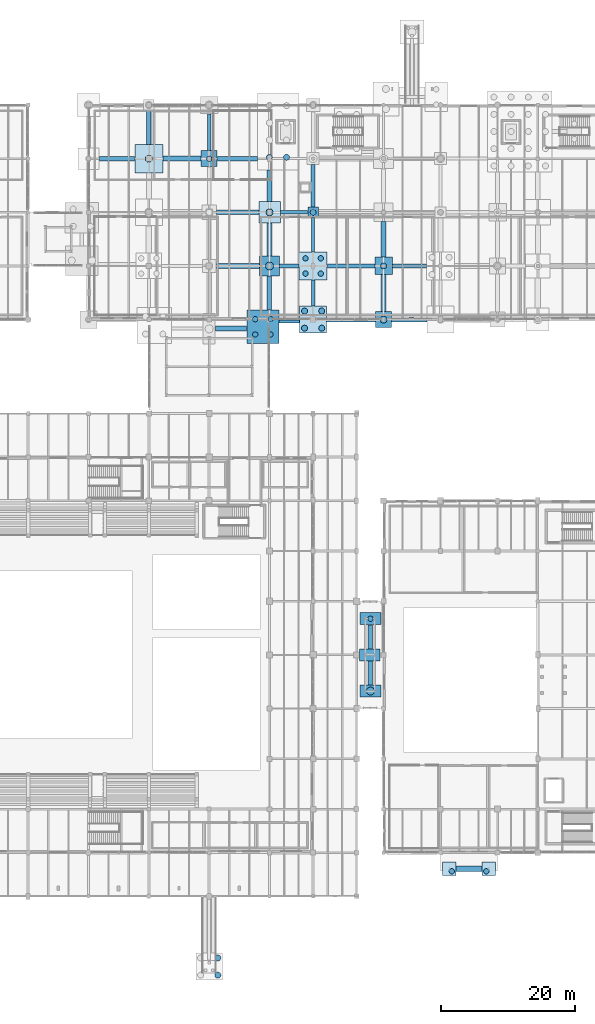
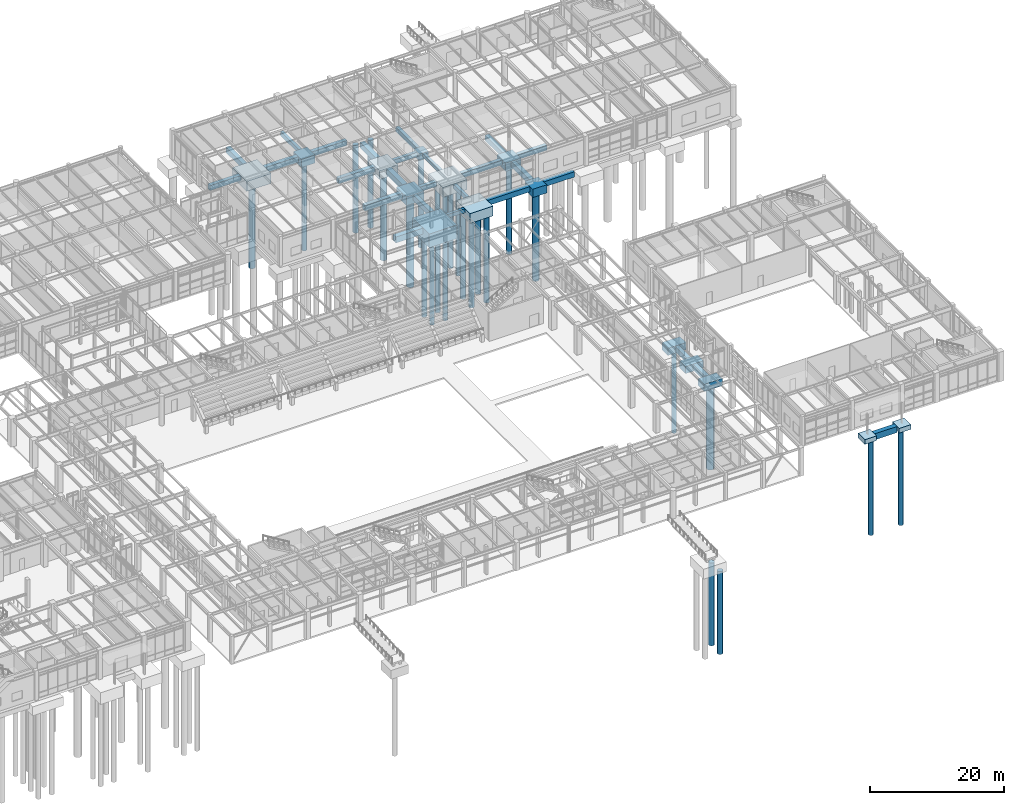
# One storey, part 4 of 203: 41 footings, 27 piles.
"""IFC4 building model written with IfcOpenShell, lengths in metres."""

from ifc_helpers import new_model, si_unit, direction, frame, origin, origin_2d, place, context, subcontext, project, spatial, polyline, circle, outline, extrude, material, material_profile, profile_set, type_object, element, save


model = new_model("IFC4")

# Units and contexts
model_context = context("Model", 3, precision=1e-05, world=origin(), true_north=direction((0.0, 1.0)))
body_context = subcontext(model_context, "Body", "Model", "MODEL_VIEW")
ifc_project = project(units=[si_unit("LENGTHUNIT", "METRE"), si_unit("AREAUNIT", "SQUARE_METRE"), si_unit("VOLUMEUNIT", "CUBIC_METRE"), si_unit("PLANEANGLEUNIT", "RADIAN"), si_unit("MASSUNIT", "GRAM", prefix="KILO"), si_unit("THERMODYNAMICTEMPERATUREUNIT", "KELVIN"), si_unit("POWERUNIT", "WATT")], contexts=[model_context])

# Site, building, storey
site_placement = place(None, origin())
site = spatial("IfcSite", under=ifc_project, at=site_placement, CompositionType="ELEMENT")
building_placement = place(site_placement, origin())
building = spatial("IfcBuilding", under=site, at=building_placement, Name="Tepalcoro Natatorium and Aquatics Centre", CompositionType="ELEMENT")
storey_placement = place(building_placement, origin())
storey = spatial("IfcBuildingStorey", under=building, at=storey_placement, Name="L00", CompositionType="ELEMENT", Elevation=0.0)

# Footings
ifc_material = material(Name="Concrete C40/50 (fc 40 MPa)", Category="concrete")
footing_type_1 = type_object("IfcFootingType", Name="FB_450x700", PredefinedType="FOOTING_BEAM", material=ifc_material)
footing_1_placement = place(storey_placement, frame((0.0, 0.0, -1.159912109375)))
element("IfcFooting", 1, at=footing_1_placement, inside=storey, type_object=footing_type_1, Name="V5 L00 Foundation Tie Beam X", PredefinedType="FOOTING_BEAM", context=body_context, shape_type="SweptSolid", body=[
    extrude(outline(polyline([(126.405029296875, 85.47509765625), (129.4951171875, 85.47509765625), (129.4951171875, 85.925048828125), (126.405029296875, 85.925048828125), (126.405029296875, 85.47509765625)])), origin(), (0.0, 0.0, 1.0), 0.699951171875),
])
footing_2_placement = place(storey_placement, frame((0.0, 0.0, -1.159912109375)))
element("IfcFooting", 2, at=footing_2_placement, inside=storey, type_object=footing_type_1, Name="V5 L00 Foundation Tie Beam Y", PredefinedType="FOOTING_BEAM", context=body_context, shape_type="SweptSolid", body=[
    extrude(outline(polyline([(131.72509765625, 96.10498046875), (131.72509765625, 101.195068359375), (131.27490234375, 101.195068359375), (131.27490234375, 96.10498046875), (131.72509765625, 96.10498046875)])), origin(), (0.0, 0.0, 1.0), 0.699951171875),
])
footing_type_2 = type_object("IfcFootingType", Name="FB_500x750", PredefinedType="FOOTING_BEAM", material=ifc_material)
footing_3_placement = place(storey_placement, frame((0.0, 0.0, -1.2099609375)))
element("IfcFooting", 3, at=footing_3_placement, inside=storey, type_object=footing_type_2, Name="V5 L00 Foundation Tie Beam Y", PredefinedType="FOOTING_BEAM", context=body_context, shape_type="SweptSolid", body=[
    extrude(outline(polyline([(116.25, 111.205078125), (116.25, 116.695068359375), (115.75, 116.695068359375), (115.75, 111.205078125), (116.25, 111.205078125)])), origin(), (0.0, 0.0, 1.0), 0.75),
])
footing_4_placement = place(storey_placement, frame((0.0, 0.0, -1.2099609375)))
element("IfcFooting", 4, at=footing_4_placement, inside=storey, type_object=footing_type_2, Name="V5 L00 Foundation Tie Beam Y", PredefinedType="FOOTING_BEAM", context=body_context, shape_type="SweptSolid", body=[
    extrude(outline(polyline([(131.75, 88.0048828125), (131.75, 91.89501953125), (131.25, 91.89501953125), (131.25, 88.0048828125), (131.75, 88.0048828125)])), origin(), (0.0, 0.0, 1.0), 0.75),
])
footing_type_3 = type_object("IfcFootingType", Name="FB_550x800", PredefinedType="FOOTING_BEAM", material=ifc_material)
footing_5_placement = place(storey_placement, frame((0.0, 0.0, -1.260009765625)))
element("IfcFooting", 5, at=footing_5_placement, inside=storey, type_object=footing_type_3, Name="V5 L00 Foundation Tie Beam X", PredefinedType="FOOTING_BEAM", context=body_context, shape_type="SweptSolid", body=[
    extrude(outline(polyline([(126.60498046875, 101.72509765625), (130.695068359375, 101.72509765625), (130.695068359375, 102.27490234375), (126.60498046875, 102.27490234375), (126.60498046875, 101.72509765625)])), origin(), (0.0, 0.0, 1.0), 0.800048828125),
])
footing_type_4 = type_object("IfcFootingType", Name="FB_600x850", PredefinedType="FOOTING_BEAM", material=ifc_material)
footing_6_placement = place(storey_placement, frame((0.0, 0.0, -1.31005859375)))
element("IfcFooting", 6, at=footing_6_placement, inside=storey, type_object=footing_type_4, Name="V5 L00 Foundation Tie Beam X", PredefinedType="FOOTING_BEAM", context=body_context, shape_type="SweptSolid", body=[
    extrude(outline(polyline([(126.5048828125, 93.699951171875), (129.39501953125, 93.699951171875), (129.39501953125, 94.300048828125), (126.5048828125, 94.300048828125), (126.5048828125, 93.699951171875)])), origin(), (0.0, 0.0, 1.0), 0.85009765625),
])
footing_7_placement = place(storey_placement, frame((0.0, 0.0, -1.31005859375)))
element("IfcFooting", 7, at=footing_7_placement, inside=storey, type_object=footing_type_4, Name="V5 L00 Foundation Tie Beam Y", PredefinedType="FOOTING_BEAM", context=body_context, shape_type="SweptSolid", body=[
    extrude(outline(polyline([(131.800048828125, 102.804931640625), (131.800048828125, 109.094970703125), (131.199951171875, 109.094970703125), (131.199951171875, 102.804931640625), (131.800048828125, 102.804931640625)])), origin(), (0.0, 0.0, 1.0), 0.85009765625),
])
footing_type_5 = type_object("IfcFootingType", Name="FB_650x900", PredefinedType="FOOTING_BEAM", material=ifc_material)
footing_8_placement = place(storey_placement, frame((0.0, 0.0, -1.360107421875)))
element("IfcFooting", 8, at=footing_8_placement, inside=storey, type_object=footing_type_5, Name="V5 L00 Foundation Tie Beam X", PredefinedType="FOOTING_BEAM", context=body_context, shape_type="SweptSolid", body=[
    extrude(outline(polyline([(99.60498046875, 109.675048828125), (104.89501953125, 109.675048828125), (104.89501953125, 110.324951171875), (99.60498046875, 110.324951171875), (99.60498046875, 109.675048828125)])), origin(), (0.0, 0.0, 1.0), 0.900146484375),
])
footing_9_placement = place(storey_placement, frame((0.0, 0.0, -1.360107421875)))
element("IfcFooting", 9, at=footing_9_placement, inside=storey, type_object=footing_type_5, Name="V5 L00 Foundation Tie Beam X", PredefinedType="FOOTING_BEAM", context=body_context, shape_type="SweptSolid", body=[
    extrude(outline(polyline([(117.205078125, 109.675048828125), (123.195068359375, 109.675048828125), (123.195068359375, 110.324951171875), (117.205078125, 110.324951171875), (117.205078125, 109.675048828125)])), origin(), (0.0, 0.0, 1.0), 0.900146484375),
])
footing_10_placement = place(storey_placement, frame((0.0, 0.0, -1.360107421875)))
element("IfcFooting", 10, at=footing_10_placement, inside=storey, type_object=footing_type_5, Name="V5 L00 Foundation Tie Beam X", PredefinedType="FOOTING_BEAM", context=body_context, shape_type="SweptSolid", body=[
    extrude(outline(polyline([(133.60498046875, 93.675048828125), (140.695068359375, 93.675048828125), (140.695068359375, 94.324951171875), (133.60498046875, 94.324951171875), (133.60498046875, 93.675048828125)])), origin(), (0.0, 0.0, 1.0), 0.900146484375),
])
footing_11_placement = place(storey_placement, frame((0.0, 0.0, -1.360107421875)))
element("IfcFooting", 11, at=footing_11_placement, inside=storey, type_object=footing_type_5, Name="V5 L00 Foundation Tie Beam X", PredefinedType="FOOTING_BEAM", context=body_context, shape_type="SweptSolid", body=[
    extrude(outline(polyline([(143.304931640625, 93.675048828125), (148.39501953125, 93.675048828125), (148.39501953125, 94.324951171875), (143.304931640625, 94.324951171875), (143.304931640625, 93.675048828125)])), origin(), (0.0, 0.0, 1.0), 0.900146484375),
])
footing_12_placement = place(storey_placement, frame((0.0, 0.0, -2.64990234375)))
element("IfcFooting", 12, at=footing_12_placement, inside=storey, type_object=footing_type_5, Name="V6E L00 Foundation Tie Beam Y", PredefinedType="FOOTING_BEAM", context=body_context, shape_type="SweptSolid", body=[
    extrude(outline(polyline([(140.324951171875, 36.905029296875), (140.324951171875, 40.4951171875), (139.675048828125, 40.4951171875), (139.675048828125, 36.905029296875), (140.324951171875, 36.905029296875)])), origin(), (0.0, 0.0, 1.0), 0.89990234375),
])
footing_type_6 = type_object("IfcFootingType", Name="FB_700x950", PredefinedType="FOOTING_BEAM", material=ifc_material)
footing_13_placement = place(storey_placement, frame((0.0, 0.0, -1.409912109375)))
element("IfcFooting", 13, at=footing_13_placement, inside=storey, type_object=footing_type_6, Name="V5 L00 Foundation Tie Beam X", PredefinedType="FOOTING_BEAM", context=body_context, shape_type="SweptSolid", body=[
    extrude(outline(polyline([(117.10498046875, 101.64990234375), (123.39501953125, 101.64990234375), (123.39501953125, 102.35009765625), (117.10498046875, 102.35009765625), (117.10498046875, 101.64990234375)])), origin(), (0.0, 0.0, 1.0), 0.949951171875),
])
footing_14_placement = place(storey_placement, frame((0.0, 0.0, -1.409912109375)))
element("IfcFooting", 14, at=footing_14_placement, inside=storey, type_object=footing_type_6, Name="V5 L00 Foundation Tie Beam X", PredefinedType="FOOTING_BEAM", context=body_context, shape_type="SweptSolid", body=[
    extrude(outline(polyline([(133.5048828125, 85.64990234375), (140.794921875, 85.64990234375), (140.794921875, 86.35009765625), (133.5048828125, 86.35009765625), (133.5048828125, 85.64990234375)])), origin(), (0.0, 0.0, 1.0), 0.949951171875),
])
footing_15_placement = place(storey_placement, frame((0.0, 0.0, -1.409912109375)))
element("IfcFooting", 15, at=footing_15_placement, inside=storey, type_object=footing_type_6, Name="V5 L00 Foundation Tie Beam X", PredefinedType="FOOTING_BEAM", context=body_context, shape_type="SweptSolid", body=[
    extrude(outline(polyline([(143.205078125, 85.64990234375), (148.4951171875, 85.64990234375), (148.4951171875, 86.35009765625), (143.205078125, 86.35009765625), (143.205078125, 85.64990234375)])), origin(), (0.0, 0.0, 1.0), 0.949951171875),
])
footing_16_placement = place(storey_placement, frame((0.0, 0.0, -1.409912109375)))
element("IfcFooting", 16, at=footing_16_placement, inside=storey, type_object=footing_type_6, Name="V5 L00 Foundation Tie Beam Y", PredefinedType="FOOTING_BEAM", context=body_context, shape_type="SweptSolid", body=[
    extrude(outline(polyline([(107.35009765625, 112.10498046875), (107.35009765625, 117.195068359375), (106.64990234375, 117.195068359375), (106.64990234375, 112.10498046875), (107.35009765625, 112.10498046875)])), origin(), (0.0, 0.0, 1.0), 0.949951171875),
])
footing_17_placement = place(storey_placement, frame((0.0, 0.0, -1.409912109375)))
element("IfcFooting", 17, at=footing_17_placement, inside=storey, type_object=footing_type_6, Name="V5 L00 Foundation Tie Beam Y", PredefinedType="FOOTING_BEAM", context=body_context, shape_type="SweptSolid", body=[
    extrude(outline(polyline([(125.300048828125, 87.405029296875), (125.300048828125, 92.4951171875), (124.60009765625, 92.4951171875), (124.60009765625, 87.405029296875), (125.300048828125, 87.405029296875)])), origin(), (0.0, 0.0, 1.0), 0.949951171875),
])
footing_18_placement = place(storey_placement, frame((0.0, 0.0, -1.409912109375)))
element("IfcFooting", 18, at=footing_18_placement, inside=storey, type_object=footing_type_6, Name="V5 L00 Foundation Tie Beam Y", PredefinedType="FOOTING_BEAM", context=body_context, shape_type="SweptSolid", body=[
    extrude(outline(polyline([(142.35009765625, 95.304931640625), (142.35009765625, 100.594970703125), (141.64990234375, 100.594970703125), (141.64990234375, 95.304931640625), (142.35009765625, 95.304931640625)])), origin(), (0.0, 0.0, 1.0), 0.949951171875),
])
footing_19_placement = place(storey_placement, frame((0.0, 0.0, -2.699951171875)))
element("IfcFooting", 19, at=footing_19_placement, inside=storey, type_object=footing_type_6, Name="V6E L00 Foundation Tie Beam Y", PredefinedType="FOOTING_BEAM", context=body_context, shape_type="SweptSolid", body=[
    extrude(outline(polyline([(140.35009765625, 31.5048828125), (140.35009765625, 35.094970703125), (139.64990234375, 35.094970703125), (139.64990234375, 31.5048828125), (140.35009765625, 31.5048828125)])), origin(), (0.0, 0.0, 1.0), 0.949951171875),
])
footing_type_7 = type_object("IfcFootingType", Name="FB_750x1000", PredefinedType="FOOTING_BEAM", material=ifc_material)
footing_20_placement = place(storey_placement, frame((0.0, 0.0, -1.4599609375)))
element("IfcFooting", 20, at=footing_20_placement, inside=storey, type_object=footing_type_7, Name="V5 L00 Foundation Tie Beam X", PredefinedType="FOOTING_BEAM", context=body_context, shape_type="SweptSolid", body=[
    extrude(outline(polyline([(109.10498046875, 109.625), (114.794921875, 109.625), (114.794921875, 110.375), (109.10498046875, 110.375), (109.10498046875, 109.625)])), origin(), (0.0, 0.0, 1.0), 1.0),
])
footing_21_placement = place(storey_placement, frame((0.0, 0.0, -1.4599609375)))
element("IfcFooting", 21, at=footing_21_placement, inside=storey, type_object=footing_type_7, Name="V5 L00 Foundation Tie Beam X", PredefinedType="FOOTING_BEAM", context=body_context, shape_type="SweptSolid", body=[
    extrude(outline(polyline([(117.0048828125, 93.625), (123.4951171875, 93.625), (123.4951171875, 94.375), (117.0048828125, 94.375), (117.0048828125, 93.625)])), origin(), (0.0, 0.0, 1.0), 1.0),
])
footing_22_placement = place(storey_placement, frame((0.0, 0.0, -1.4599609375)))
element("IfcFooting", 22, at=footing_22_placement, inside=storey, type_object=footing_type_7, Name="V5 L00 Foundation Tie Beam Y", PredefinedType="FOOTING_BEAM", context=body_context, shape_type="SweptSolid", body=[
    extrude(outline(polyline([(125.375, 103.60498046875), (125.375, 108.294921875), (124.625, 108.294921875), (124.625, 103.60498046875), (125.375, 103.60498046875)])), origin(), (0.0, 0.0, 1.0), 1.0),
])
footing_23_placement = place(storey_placement, frame((0.0, 0.0, -1.4599609375)))
element("IfcFooting", 23, at=footing_23_placement, inside=storey, type_object=footing_type_7, Name="V5 L00 Foundation Tie Beam Y", PredefinedType="FOOTING_BEAM", context=body_context, shape_type="SweptSolid", body=[
    extrude(outline(polyline([(142.375, 87.205078125), (142.375, 92.695068359375), (141.625, 92.695068359375), (141.625, 87.205078125), (142.375, 87.205078125)])), origin(), (0.0, 0.0, 1.0), 1.0),
])
footing_type_8 = type_object("IfcFootingType", Name="FB_800x1100", PredefinedType="FOOTING_BEAM", material=ifc_material)
footing_24_placement = place(storey_placement, frame((0.0, 0.0, -1.10009765625)))
element("IfcFooting", 24, at=footing_24_placement, inside=storey, type_object=footing_type_8, Name="V2 L00 Foundation Tie Beam X", PredefinedType="FOOTING_BEAM", context=body_context, shape_type="SweptSolid", body=[
    extrude(outline(polyline([(152.804931640625, 3.699951171875), (156.695068359375, 3.699951171875), (156.695068359375, 4.5), (152.804931640625, 4.5), (152.804931640625, 3.699951171875)])), origin(), (0.0, 0.0, 1.0), 1.10009765625),
])
footing_25_placement = place(storey_placement, frame((0.0, 0.0, -1.56005859375)))
element("IfcFooting", 25, at=footing_25_placement, inside=storey, type_object=footing_type_8, Name="V5 L00 Foundation Tie Beam X", PredefinedType="FOOTING_BEAM", context=body_context, shape_type="SweptSolid", body=[
    extrude(outline(polyline([(116.905029296875, 84.27490234375), (121.594970703125, 84.27490234375), (121.594970703125, 85.074951171875), (116.905029296875, 85.074951171875), (116.905029296875, 84.27490234375)])), origin(), (0.0, 0.0, 1.0), 1.10009765625),
])
footing_26_placement = place(storey_placement, frame((0.0, 0.0, -1.56005859375)))
element("IfcFooting", 26, at=footing_26_placement, inside=storey, type_object=footing_type_8, Name="V5 L00 Foundation Tie Beam Y", PredefinedType="FOOTING_BEAM", context=body_context, shape_type="SweptSolid", body=[
    extrude(outline(polyline([(125.39990234375, 95.5048828125), (125.39990234375, 100.39501953125), (124.60009765625, 100.39501953125), (124.60009765625, 95.5048828125), (125.39990234375, 95.5048828125)])), origin(), (0.0, 0.0, 1.0), 1.10009765625),
])
footing_type_9 = type_object("IfcFootingType", Name="PC_1600x1600x1200", PredefinedType="PILE_CAP", material=ifc_material)
footing_27_placement = place(storey_placement, frame((0.0, 0.0, -1.659912109375)))
element("IfcFooting", 27, at=footing_27_placement, inside=storey, type_object=footing_type_9, Name="V5 Reinforced Concrete Pile Cap 293", PredefinedType="PILE_CAP", context=body_context, shape_type="SweptSolid", body=[
    extrude(outline(polyline([(130.699951171875, 101.199951171875), (132.300048828125, 101.199951171875), (132.300048828125, 102.800048828125), (130.699951171875, 102.800048828125), (130.699951171875, 101.199951171875)])), origin(), (0.0, 0.0, 1.0), 1.199951171875),
])
footing_type_10 = type_object("IfcFootingType", Name="PC_1800x1800x1300", PredefinedType="PILE_CAP", material=ifc_material)
footing_28_placement = place(storey_placement, frame((0.0, 0.0, -3.050048828125)))
element("IfcFooting", 28, at=footing_28_placement, inside=storey, type_object=footing_type_10, Name="V6E Reinforced Concrete Pile Cap 319", PredefinedType="PILE_CAP", context=body_context, shape_type="SweptSolid", body=[
    extrude(outline(polyline([(138.39990234375, 35.10009765625), (141.5, 35.10009765625), (141.5, 36.89990234375), (138.39990234375, 36.89990234375), (138.39990234375, 35.10009765625)])), origin(), (0.0, 0.0, 1.0), 1.300048828125),
])
footing_29_placement = place(storey_placement, frame((0.0, 0.0, -3.050048828125)))
element("IfcFooting", 29, at=footing_29_placement, inside=storey, type_object=footing_type_10, Name="V6E Reinforced Concrete Pile Cap 320", PredefinedType="PILE_CAP", context=body_context, shape_type="SweptSolid", body=[
    extrude(outline(polyline([(138.5, 29.699951171875), (141.60009765625, 29.699951171875), (141.60009765625, 31.5), (138.5, 31.5), (138.5, 29.699951171875)])), origin(), (0.0, 0.0, 1.0), 1.300048828125),
])
footing_30_placement = place(storey_placement, frame((0.0, 0.0, -3.050048828125)))
element("IfcFooting", 30, at=footing_30_placement, inside=storey, type_object=footing_type_10, Name="V6E Reinforced Concrete Pile Cap 321", PredefinedType="PILE_CAP", context=body_context, shape_type="SweptSolid", body=[
    extrude(outline(polyline([(138.5, 40.5), (141.60009765625, 40.5), (141.60009765625, 42.300048828125), (138.5, 42.300048828125), (138.5, 40.5)])), origin(), (0.0, 0.0, 1.0), 1.300048828125),
])
footing_type_11 = type_object("IfcFootingType", Name="PC_200x200x85", PredefinedType="PILE_CAP", material=ifc_material)
footing_31_placement = place(storey_placement, frame((0.0, 0.0, -0.85009765625)))
element("IfcFooting", 31, at=footing_31_placement, inside=storey, type_object=footing_type_11, Name="V2 Reinforced Concrete Pile Cap 227", PredefinedType="PILE_CAP", context=body_context, shape_type="SweptSolid", body=[
    extrude(outline(polyline([(150.800048828125, 3.10009765625), (152.800048828125, 3.10009765625), (152.800048828125, 5.10009765625), (150.800048828125, 5.10009765625), (150.800048828125, 3.10009765625)])), origin(), (0.0, 0.0, 1.0), 0.85009765625),
])
footing_32_placement = place(storey_placement, frame((0.0, 0.0, -0.85009765625)))
element("IfcFooting", 32, at=footing_32_placement, inside=storey, type_object=footing_type_11, Name="V2 Reinforced Concrete Pile Cap 228", PredefinedType="PILE_CAP", context=body_context, shape_type="SweptSolid", body=[
    extrude(outline(polyline([(156.699951171875, 3.10009765625), (158.699951171875, 3.10009765625), (158.699951171875, 5.10009765625), (156.699951171875, 5.10009765625), (156.699951171875, 3.10009765625)])), origin(), (0.0, 0.0, 1.0), 0.85009765625),
])
footing_type_12 = type_object("IfcFootingType", Name="PC_2400x2400x1500", PredefinedType="PILE_CAP", material=ifc_material)
footing_33_placement = place(storey_placement, frame((0.0, 0.0, -1.9599609375)))
element("IfcFooting", 33, at=footing_33_placement, inside=storey, type_object=footing_type_12, Name="V5 Reinforced Concrete Pile Cap 281", PredefinedType="PILE_CAP", context=body_context, shape_type="SweptSolid", body=[
    extrude(outline(polyline([(114.800048828125, 108.800048828125), (117.199951171875, 108.800048828125), (117.199951171875, 111.199951171875), (114.800048828125, 111.199951171875), (114.800048828125, 108.800048828125)])), origin(), (0.0, 0.0, 1.0), 1.5),
])
footing_34_placement = place(storey_placement, frame((0.0, 0.0, -1.9599609375)))
element("IfcFooting", 34, at=footing_34_placement, inside=storey, type_object=footing_type_12, Name="V5 Reinforced Concrete Pile Cap 299", PredefinedType="PILE_CAP", context=body_context, shape_type="SweptSolid", body=[
    extrude(outline(polyline([(140.800048828125, 84.800048828125), (143.199951171875, 84.800048828125), (143.199951171875, 87.199951171875), (140.800048828125, 87.199951171875), (140.800048828125, 84.800048828125)])), origin(), (0.0, 0.0, 1.0), 1.5),
])
footing_type_13 = type_object("IfcFootingType", Name="PC_2600x2600x1500", PredefinedType="PILE_CAP", material=ifc_material)
footing_35_placement = place(storey_placement, frame((0.0, 0.0, -1.9599609375)))
element("IfcFooting", 35, at=footing_35_placement, inside=storey, type_object=footing_type_13, Name="V5 Reinforced Concrete Pile Cap 298", PredefinedType="PILE_CAP", context=body_context, shape_type="SweptSolid", body=[
    extrude(outline(polyline([(140.699951171875, 92.699951171875), (143.300048828125, 92.699951171875), (143.300048828125, 95.300048828125), (140.699951171875, 95.300048828125), (140.699951171875, 92.699951171875)])), origin(), (0.0, 0.0, 1.0), 1.5),
])
footing_type_14 = type_object("IfcFootingType", Name="PC_2800x2800x1500", PredefinedType="PILE_CAP", material=ifc_material)
footing_36_placement = place(storey_placement, frame((0.0, 0.0, -2.949951171875)))
element("IfcFooting", 36, at=footing_36_placement, inside=storey, type_object=footing_type_14, Name="V5 Reinforced Concrete Pile Cap 285", PredefinedType="PILE_CAP", context=body_context, shape_type="SweptSolid", body=[
    extrude(outline(polyline([(121.60009765625, 82.449951171875), (126.39990234375, 82.449951171875), (126.39990234375, 87.39990234375), (121.60009765625, 87.39990234375), (121.60009765625, 82.449951171875)])), origin(), (0.0, 0.0, 1.0), 2.489990234375),
])
footing_type_15 = type_object("IfcFootingType", Name="PC_3000x3000x1600", PredefinedType="PILE_CAP", material=ifc_material)
footing_37_placement = place(storey_placement, frame((0.0, 0.0, -2.06005859375)))
element("IfcFooting", 37, at=footing_37_placement, inside=storey, type_object=footing_type_15, Name="V5 Reinforced Concrete Pile Cap 288", PredefinedType="PILE_CAP", context=body_context, shape_type="SweptSolid", body=[
    extrude(outline(polyline([(123.5, 92.5), (126.5, 92.5), (126.5, 95.5), (123.5, 95.5), (123.5, 92.5)])), origin(), (0.0, 0.0, 1.0), 1.60009765625),
])
footing_type_16 = type_object("IfcFootingType", Name="PC_3200x3200x1600", PredefinedType="PILE_CAP", material=ifc_material)
footing_38_placement = place(storey_placement, frame((0.0, 0.0, -2.06005859375)))
element("IfcFooting", 38, at=footing_38_placement, inside=storey, type_object=footing_type_16, Name="V5 Reinforced Concrete Pile Cap 287", PredefinedType="PILE_CAP", context=body_context, shape_type="SweptSolid", body=[
    extrude(outline(polyline([(123.39990234375, 100.39990234375), (126.60009765625, 100.39990234375), (126.60009765625, 103.60009765625), (123.39990234375, 103.60009765625), (123.39990234375, 100.39990234375)])), origin(), (0.0, 0.0, 1.0), 1.60009765625),
])
footing_type_17 = type_object("IfcFootingType", Name="PC_4000x4000x1800", PredefinedType="PILE_CAP", material=ifc_material)
footing_39_placement = place(storey_placement, frame((0.0, 0.0, -2.260009765625)))
element("IfcFooting", 39, at=footing_39_placement, inside=storey, type_object=footing_type_17, Name="V5 Reinforced Concrete Pile Cap 290", PredefinedType="PILE_CAP", context=body_context, shape_type="SweptSolid", body=[
    extrude(outline(polyline([(129.5, 84.0), (133.5, 84.0), (133.5, 88.0), (129.5, 88.0), (129.5, 84.0)])), origin(), (0.0, 0.0, 1.0), 1.800048828125),
])
footing_type_18 = type_object("IfcFootingType", Name="PC_4200x4200x1800", PredefinedType="PILE_CAP", material=ifc_material)
footing_40_placement = place(storey_placement, frame((0.0, 0.0, -2.260009765625)))
element("IfcFooting", 40, at=footing_40_placement, inside=storey, type_object=footing_type_18, Name="V5 Reinforced Concrete Pile Cap 275", PredefinedType="PILE_CAP", context=body_context, shape_type="SweptSolid", body=[
    extrude(outline(polyline([(104.89990234375, 107.89990234375), (109.10009765625, 107.89990234375), (109.10009765625, 112.10009765625), (104.89990234375, 112.10009765625), (104.89990234375, 107.89990234375)])), origin(), (0.0, 0.0, 1.0), 1.800048828125),
])
footing_41_placement = place(storey_placement, frame((0.0, 0.0, -2.260009765625)))
element("IfcFooting", 41, at=footing_41_placement, inside=storey, type_object=footing_type_18, Name="V5 Reinforced Concrete Pile Cap 289", PredefinedType="PILE_CAP", context=body_context, shape_type="SweptSolid", body=[
    extrude(outline(polyline([(129.39990234375, 91.89990234375), (133.60009765625, 91.89990234375), (133.60009765625, 96.10009765625), (129.39990234375, 96.10009765625), (129.39990234375, 91.89990234375)])), origin(), (0.0, 0.0, 1.0), 1.800048828125),
])

# Piles
ifc_material_profile_1 = material_profile(ifc_material, circle(Radius=0.52490234375, at=origin_2d()), Name="PILE_D1050")
ifc_profile_set_1 = profile_set([ifc_material_profile_1], Name="Concrete C40/50 (fc 40 MPa)")
pile_type_1 = type_object("IfcPileType", Name="PILE_D1050", PredefinedType="BORED", material=ifc_profile_set_1)
pile_1_placement = place(storey_placement, frame((107.0, 110.0, -2.159912109375), z_axis=(0.0, 0.0, -1.0), x_axis=(1.0, 0.0, 0.0)))
element("IfcPile", 42, at=pile_1_placement, inside=storey, type_object=pile_type_1, Name="Bored Pile PILE_D1050 under PC_V5_0274", PredefinedType="BORED", context=body_context, shape_type="SweptSolid", body=[
    extrude(circle(Radius=0.52490234375, at=origin_2d()), origin(), (0.0, 0.0, 1.0), 15.840087890625),
])
pile_2_placement = place(storey_placement, frame((125.0, 102.0, -1.9599609375), z_axis=(0.0, 0.0, -1.0), x_axis=(1.0, 0.0, 0.0)))
element("IfcPile", 43, at=pile_2_placement, inside=storey, type_object=pile_type_1, Name="Bored Pile PILE_D1050 under PC_V5_0286", PredefinedType="BORED", context=body_context, shape_type="SweptSolid", body=[
    extrude(circle(Radius=0.52490234375, at=origin_2d()), origin(), (0.0, 0.0, 1.0), 16.0400390625),
])
pile_3_placement = place(storey_placement, frame((142.0, 86.0, -1.860107421875), z_axis=(0.0, 0.0, -1.0), x_axis=(1.0, 0.0, 0.0)))
element("IfcPile", 44, at=pile_3_placement, inside=storey, type_object=pile_type_1, Name="Bored Pile PILE_D1050 under PC_V5_0298", PredefinedType="BORED", context=body_context, shape_type="SweptSolid", body=[
    extrude(circle(Radius=0.52490234375, at=origin_2d()), origin(), (0.0, 0.0, 1.0), 16.139892578125),
])
ifc_material_profile_2 = material_profile(ifc_material, circle(Radius=0.60009765625, at=origin_2d()), Name="PILE_D1200")
ifc_profile_set_2 = profile_set([ifc_material_profile_2], Name="Concrete C40/50 (fc 40 MPa)")
pile_type_2 = type_object("IfcPileType", Name="PILE_D1200", PredefinedType="BORED", material=ifc_profile_set_2)
pile_4_placement = place(storey_placement, frame((125.0, 94.0, -1.9599609375), z_axis=(0.0, 0.0, -1.0), x_axis=(1.0, 0.0, 0.0)))
element("IfcPile", 45, at=pile_4_placement, inside=storey, type_object=pile_type_2, Name="Bored Pile PILE_D1200 under PC_V5_0287", PredefinedType="BORED", context=body_context, shape_type="SweptSolid", body=[
    extrude(circle(Radius=0.60009765625, at=origin_2d()), origin(), (0.0, 0.0, 1.0), 16.0400390625),
])
pile_5_placement = place(storey_placement, frame((140.050048828125, 30.60009765625, -2.949951171875), z_axis=(0.0, 0.0, -1.0), x_axis=(1.0, 0.0, 0.0)))
element("IfcPile", 46, at=pile_5_placement, inside=storey, type_object=pile_type_2, Name="Bored Pile PILE_D1200 under PC_V6E_0319", PredefinedType="BORED", context=body_context, shape_type="SweptSolid", body=[
    extrude(circle(Radius=0.60009765625, at=origin_2d()), origin(), (0.0, 0.0, 1.0), 15.050048828125),
])
ifc_material_profile_3 = material_profile(ifc_material, circle(Radius=0.39990234375, at=origin_2d()), Name="PILE_D800")
ifc_profile_set_3 = profile_set([ifc_material_profile_3], Name="Concrete C40/50 (fc 40 MPa)")
pile_type_3 = type_object("IfcPileType", Name="PILE_D800", PredefinedType="BORED", material=ifc_profile_set_3)
for number, where, z_axis, x_axis, name in (
    (47, (152.179931640625, 3.719970703125, -0.75), (0.0, 0.0, -1.0), (1.0, 0.0, 0.0), "Bored Pile PILE_D800 under PC_V2_0226"),
    (48, (157.320068359375, 3.719970703125, -0.75), (0.0, 0.0, -1.0), (1.0, 0.0, 0.0), "Bored Pile PILE_D800 under PC_V2_0227"),
):
    element("IfcPile", number, at=place(storey_placement, frame(where, z_axis=z_axis, x_axis=x_axis)), inside=storey, type_object=pile_type_3, Name=name, PredefinedType="BORED", context=body_context, shape_type="SweptSolid", body=[
        extrude(circle(Radius=0.39990234375, at=origin_2d()), origin(), (0.0, 0.0, 1.0), 17.25),
    ])
pile_6_placement = place(storey_placement, frame((116.0, 110.0, -1.860107421875), z_axis=(0.0, 0.0, -1.0), x_axis=(1.0, 0.0, 0.0)))
element("IfcPile", 49, at=pile_6_placement, inside=storey, type_object=pile_type_3, Name="Bored Pile PILE_D800 under PC_V5_0280", PredefinedType="BORED", context=body_context, shape_type="SweptSolid", body=[
    extrude(circle(Radius=0.39990234375, at=origin_2d()), origin(), (0.0, 0.0, 1.0), 16.139892578125),
])
for number, where, z_axis, x_axis, name in (
    (50, (122.860107421875, 83.784912109375, -2.85009765625), (0.0, 0.0, -1.0), (1.0, 0.0, 0.0), "Bored Pile PILE_D800 under PC_V5_0284"),
    (51, (122.860107421875, 86.06494140625, -2.85009765625), (0.0, 0.0, -1.0), (1.0, 0.0, 0.0), "Bored Pile PILE_D800 under PC_V5_0284"),
    (52, (125.139892578125, 83.784912109375, -2.85009765625), (0.0, 0.0, -1.0), (1.0, 0.0, 0.0), "Bored Pile PILE_D800 under PC_V5_0284"),
    (53, (125.139892578125, 86.06494140625, -2.85009765625), (0.0, 0.0, -1.0), (1.0, 0.0, 0.0), "Bored Pile PILE_D800 under PC_V5_0284"),
):
    element("IfcPile", number, at=place(storey_placement, frame(where, z_axis=z_axis, x_axis=x_axis)), inside=storey, type_object=pile_type_3, Name=name, PredefinedType="BORED", context=body_context, shape_type="SweptSolid", body=[
        extrude(circle(Radius=0.39990234375, at=origin_2d()), origin(), (0.0, 0.0, 1.0), 15.14990234375),
    ])
for number, where, z_axis, x_axis, name in (
    (54, (130.360107421875, 92.860107421875, -2.159912109375), (0.0, 0.0, -1.0), (1.0, 0.0, 0.0), "Bored Pile PILE_D800 under PC_V5_0288"),
    (55, (130.360107421875, 95.139892578125, -2.159912109375), (0.0, 0.0, -1.0), (1.0, 0.0, 0.0), "Bored Pile PILE_D800 under PC_V5_0288"),
    (56, (132.639892578125, 92.860107421875, -2.159912109375), (0.0, 0.0, -1.0), (1.0, 0.0, 0.0), "Bored Pile PILE_D800 under PC_V5_0288"),
    (57, (132.639892578125, 95.139892578125, -2.159912109375), (0.0, 0.0, -1.0), (1.0, 0.0, 0.0), "Bored Pile PILE_D800 under PC_V5_0288"),
):
    element("IfcPile", number, at=place(storey_placement, frame(where, z_axis=z_axis, x_axis=x_axis)), inside=storey, type_object=pile_type_3, Name=name, PredefinedType="BORED", context=body_context, shape_type="SweptSolid", body=[
        extrude(circle(Radius=0.39990234375, at=origin_2d()), origin(), (0.0, 0.0, 1.0), 15.840087890625),
    ])
pile_7_placement = place(storey_placement, frame((140.050048828125, 41.39990234375, -2.949951171875), z_axis=(0.0, 0.0, -1.0), x_axis=(1.0, 0.0, 0.0)))
element("IfcPile", 58, at=pile_7_placement, inside=storey, type_object=pile_type_3, Name="Bored Pile PILE_D800 under PC_V6E_0320", PredefinedType="BORED", context=body_context, shape_type="SweptSolid", body=[
    extrude(circle(Radius=0.39990234375, at=origin_2d()), origin(), (0.0, 0.0, 1.0), 15.050048828125),
])
ifc_material_profile_4 = material_profile(ifc_material, circle(Radius=0.449951171875, at=origin_2d()), Name="PILE_D900")
ifc_profile_set_4 = profile_set([ifc_material_profile_4], Name="Concrete C40/50 (fc 40 MPa)")
pile_type_4 = type_object("IfcPileType", Name="PILE_D900", PredefinedType="BORED", material=ifc_profile_set_4)
for number, where, z_axis, x_axis, name in (
    (59, (117.282470703125, -11.762451171875, -2.949951171875), (0.0, 0.0, -1.0), (1.0, 0.0, 0.0), "Bored Pile PILE_D900 under PC_V1_0225"),
    (60, (117.282470703125, -9.197509765625, -2.949951171875), (0.0, 0.0, -1.0), (1.0, 0.0, 0.0), "Bored Pile PILE_D900 under PC_V1_0225"),
):
    element("IfcPile", number, at=place(storey_placement, frame(where, z_axis=z_axis, x_axis=x_axis)), inside=storey, type_object=pile_type_4, Name=name, PredefinedType="BORED", context=body_context, shape_type="SweptSolid", body=[
        extrude(circle(Radius=0.449951171875, at=origin_2d()), origin(), (0.0, 0.0, 1.0), 15.050048828125),
    ])
for number, where, z_axis, x_axis, name in (
    (61, (124.967529296875, 110.202392578125, -2.06005859375), (0.0, 0.0, -1.0), (1.0, 0.0, 0.0), "Bored Pile PILE_D900 under PC_V5_0285"),
    (62, (127.532470703125, 110.202392578125, -2.06005859375), (0.0, 0.0, -1.0), (1.0, 0.0, 0.0), "Bored Pile PILE_D900 under PC_V5_0285"),
):
    element("IfcPile", number, at=place(storey_placement, frame(where, z_axis=z_axis, x_axis=x_axis)), inside=storey, type_object=pile_type_4, Name=name, PredefinedType="BORED", context=body_context, shape_type="SweptSolid", body=[
        extrude(circle(Radius=0.449951171875, at=origin_2d()), origin(), (0.0, 0.0, 1.0), 15.93994140625),
    ])
for number, where, z_axis, x_axis, name in (
    (63, (130.217529296875, 84.717529296875, -2.159912109375), (0.0, 0.0, -1.0), (1.0, 0.0, 0.0), "Bored Pile PILE_D900 under PC_V5_0289"),
    (64, (130.217529296875, 87.282470703125, -2.159912109375), (0.0, 0.0, -1.0), (1.0, 0.0, 0.0), "Bored Pile PILE_D900 under PC_V5_0289"),
    (65, (132.782470703125, 84.717529296875, -2.159912109375), (0.0, 0.0, -1.0), (1.0, 0.0, 0.0), "Bored Pile PILE_D900 under PC_V5_0289"),
    (66, (132.782470703125, 87.282470703125, -2.159912109375), (0.0, 0.0, -1.0), (1.0, 0.0, 0.0), "Bored Pile PILE_D900 under PC_V5_0289"),
):
    element("IfcPile", number, at=place(storey_placement, frame(where, z_axis=z_axis, x_axis=x_axis)), inside=storey, type_object=pile_type_4, Name=name, PredefinedType="BORED", context=body_context, shape_type="SweptSolid", body=[
        extrude(circle(Radius=0.449951171875, at=origin_2d()), origin(), (0.0, 0.0, 1.0), 15.840087890625),
    ])
pile_8_placement = place(storey_placement, frame((131.5, 102.0, -1.56005859375), z_axis=(0.0, 0.0, -1.0), x_axis=(1.0, 0.0, 0.0)))
element("IfcPile", 67, at=pile_8_placement, inside=storey, type_object=pile_type_4, Name="Bored Pile PILE_D900 under PC_V5_0292", PredefinedType="BORED", context=body_context, shape_type="SweptSolid", body=[
    extrude(circle(Radius=0.449951171875, at=origin_2d()), origin(), (0.0, 0.0, 1.0), 16.43994140625),
])
pile_9_placement = place(storey_placement, frame((142.0, 94.0, -1.860107421875), z_axis=(0.0, 0.0, -1.0), x_axis=(1.0, 0.0, 0.0)))
element("IfcPile", 68, at=pile_9_placement, inside=storey, type_object=pile_type_4, Name="Bored Pile PILE_D900 under PC_V5_0297", PredefinedType="BORED", context=body_context, shape_type="SweptSolid", body=[
    extrude(circle(Radius=0.449951171875, at=origin_2d()), origin(), (0.0, 0.0, 1.0), 16.139892578125),
])

save(model, "model.ifc")
